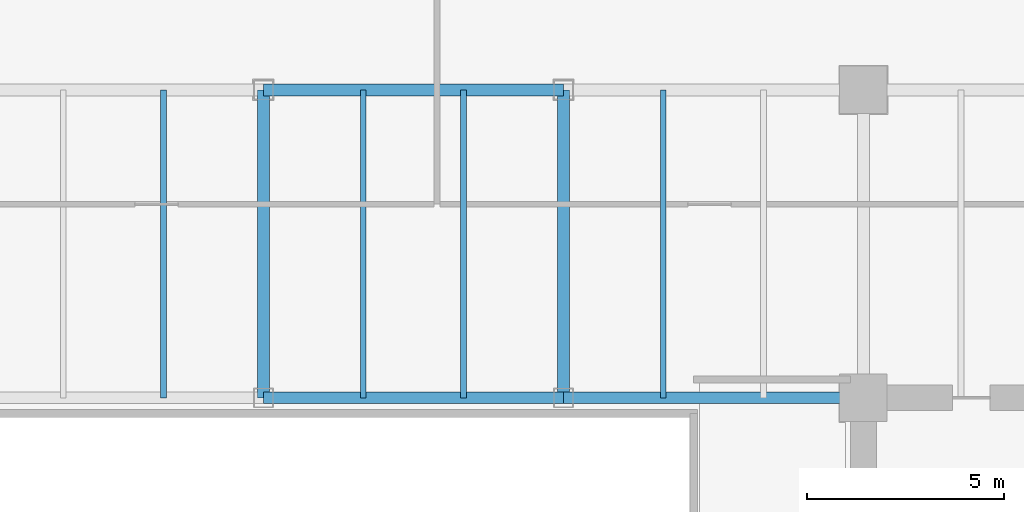
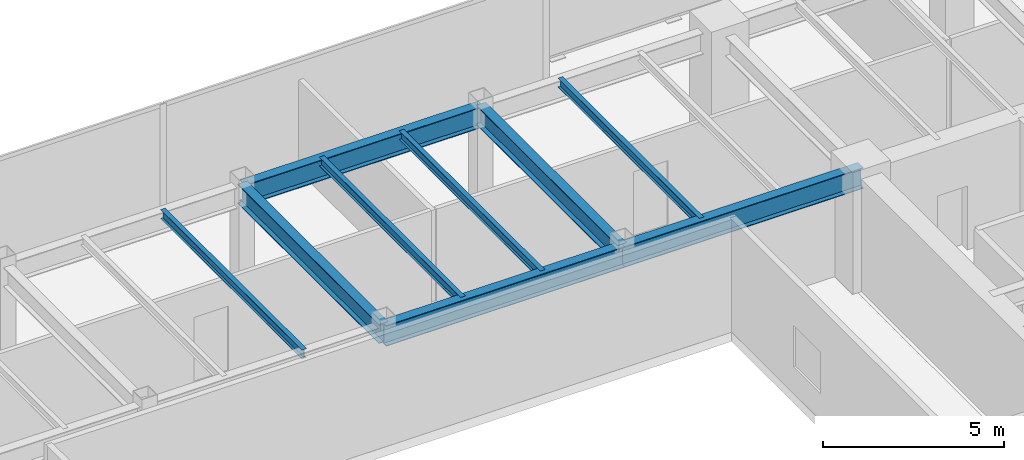
# One storey, part 17 of 34: 9 beams.
"""IFC4 building model written with IfcOpenShell, lengths in metres."""

from ifc_helpers import new_model, si_unit, direction, frame, origin, origin_2d, place, context, subcontext, project, spatial, i_section, extrude, source, transform, mapped, material, material_profile, profile_set, type_object, type_shapes, element, save


model = new_model("IFC4")

# Units and contexts
model_context = context("Model", 3, precision=1e-05, world=origin(), true_north=direction((0.0, 1.0)))
body_context = subcontext(model_context, "Body", "Model", "MODEL_VIEW")
ifc_project = project(units=[si_unit("LENGTHUNIT", "METRE"), si_unit("AREAUNIT", "SQUARE_METRE"), si_unit("VOLUMEUNIT", "CUBIC_METRE"), si_unit("PLANEANGLEUNIT", "RADIAN"), si_unit("MASSUNIT", "GRAM", prefix="KILO")], contexts=[model_context])

# Site, building, storey
site_placement = place(None, origin())
site = spatial("IfcSite", under=ifc_project, at=site_placement, CompositionType="ELEMENT")
building_placement = place(site_placement, origin())
building = spatial("IfcBuilding", under=site, at=building_placement, Name="Haelvirn Gate Laboratories", CompositionType="ELEMENT")
storey_placement = place(building_placement, frame((0.0, 0.0, 109.199951171875)))
storey = spatial("IfcBuildingStorey", under=building, at=storey_placement, Name="L26", CompositionType="ELEMENT", Elevation=109.199951171875)

# Beams
ifc_material = material(Name="Steel SM355", Category="steel")
ifc_material_profile_1 = material_profile(ifc_material, i_section(OverallWidth=0.300048828125, OverallDepth=0.64990234375, WebThickness=0.012939453125, FlangeThickness=0.02197265625, at=origin_2d()), Name="H-650x300x13x22")
ifc_profile_set_1 = profile_set([ifc_material_profile_1], Name="Steel SM355")
beam_type_1 = type_object("IfcBeamType", Name="BM-G-650", PredefinedType="BEAM", material=ifc_profile_set_1)
shared_shape_1 = source(origin(), body_context, "Body", "SweptSolid", [
    extrude(i_section(OverallWidth=0.300048828125, OverallDepth=0.64990234375, WebThickness=0.012939453125, FlangeThickness=0.02197265625, at=origin_2d()), origin(), (0.0, 0.0, 1.0), 7.800048828125),
])
type_shapes(beam_type_1, [shared_shape_1])
for number, where, z_axis, x_axis, name in (
    (1, (37.39990234375, 33.800048828125, 3.465087890625), (0.0, 1.0, 0.0), (-1.0, 0.0, 0.0), "L26 Frame Girder X37.4 (33.8-41.6)"),
    (2, (45.0, 33.800048828125, 3.465087890625), (0.0, 1.0, 0.0), (-1.0, 0.0, 0.0), "L26 Frame Girder X45.0 (33.8-41.6)"),
):
    element("IfcBeam", number, at=place(storey_placement, frame(where, z_axis=z_axis, x_axis=x_axis)), inside=storey, type_object=beam_type_1, Name=name, PredefinedType="BEAM", context=body_context, shape_type="MappedRepresentation", body=[
        mapped(shared_shape_1, transform((0.0, 0.0, 0.0), scale=1.0)),
    ])
ifc_material_profile_2 = material_profile(ifc_material, i_section(OverallWidth=0.300048828125, OverallDepth=0.699951171875, WebThickness=0.012939453125, FlangeThickness=0.02392578125, at=origin_2d()), Name="H-700x300x13x24")
ifc_profile_set_2 = profile_set([ifc_material_profile_2], Name="Steel SM355")
beam_type_2 = type_object("IfcBeamType", Name="BM-G-700", PredefinedType="BEAM", material=ifc_profile_set_2)
shared_shape_2 = source(origin(), body_context, "Body", "SweptSolid", [
    extrude(i_section(OverallWidth=0.300048828125, OverallDepth=0.699951171875, WebThickness=0.012939453125, FlangeThickness=0.02392578125, at=origin_2d()), origin(), (0.0, 0.0, 1.0), 7.60009765625),
])
type_shapes(beam_type_2, [shared_shape_2])
for number, where, z_axis, x_axis, name in (
    (3, (37.39990234375, 33.800048828125, 3.43994140625), (1.0, 0.0, 0.0), (0.0, 1.0, 0.0), "L26 Primary Girder Y33.8 (37.4-45.0)"),
    (4, (45.0, 33.800048828125, 3.43994140625), (1.0, 0.0, 0.0), (0.0, 1.0, 0.0), "L26 Primary Girder Y33.8 (45.0-52.6)"),
    (5, (37.39990234375, 41.60009765625, 3.43994140625), (1.0, 0.0, 0.0), (0.0, 1.0, 0.0), "L26 Primary Girder Y41.6 (37.4-45.0)"),
):
    element("IfcBeam", number, at=place(storey_placement, frame(where, z_axis=z_axis, x_axis=x_axis)), inside=storey, type_object=beam_type_2, Name=name, PredefinedType="BEAM", context=body_context, shape_type="MappedRepresentation", body=[
        mapped(shared_shape_2, transform((0.0, 0.0, 0.0), scale=1.0)),
    ])
ifc_material_profile_3 = material_profile(ifc_material, i_section(OverallWidth=0.14990234375, OverallDepth=0.300048828125, WebThickness=0.006591796875, FlangeThickness=0.009033203125, at=origin_2d()), Name="H-300x150x6.5x9")
ifc_profile_set_3 = profile_set([ifc_material_profile_3], Name="Steel SM355")
beam_type_3 = type_object("IfcBeamType", Name="BM-J-300", PredefinedType="JOIST", material=ifc_profile_set_3)
shared_shape_3 = source(origin(), body_context, "Body", "SweptSolid", [
    extrude(i_section(OverallWidth=0.14990234375, OverallDepth=0.300048828125, WebThickness=0.006591796875, FlangeThickness=0.009033203125, at=origin_2d()), origin(), (0.0, 0.0, 1.0), 7.800048828125),
])
type_shapes(beam_type_3, [shared_shape_3])
for number, where, z_axis, x_axis, name in (
    (6, (34.8701171875, 33.800048828125, 3.64013671875), (0.0, 1.0, 0.0), (-1.0, 0.0, 0.0), "L26 Composite Lab Joist North X34.87"),
    (7, (39.929931640625, 33.800048828125, 3.64013671875), (0.0, 1.0, 0.0), (-1.0, 0.0, 0.0), "L26 Composite Lab Joist North X39.93"),
    (8, (42.469970703125, 33.800048828125, 3.64013671875), (0.0, 1.0, 0.0), (-1.0, 0.0, 0.0), "L26 Composite Lab Joist North X42.47"),
    (9, (47.530029296875, 33.800048828125, 3.64013671875), (0.0, 1.0, 0.0), (-1.0, 0.0, 0.0), "L26 Composite Lab Joist North X47.53"),
):
    element("IfcBeam", number, at=place(storey_placement, frame(where, z_axis=z_axis, x_axis=x_axis)), inside=storey, type_object=beam_type_3, Name=name, PredefinedType="JOIST", context=body_context, shape_type="MappedRepresentation", body=[
        mapped(shared_shape_3, transform((0.0, 0.0, 0.0), scale=1.0)),
    ])

save(model, "model.ifc")
